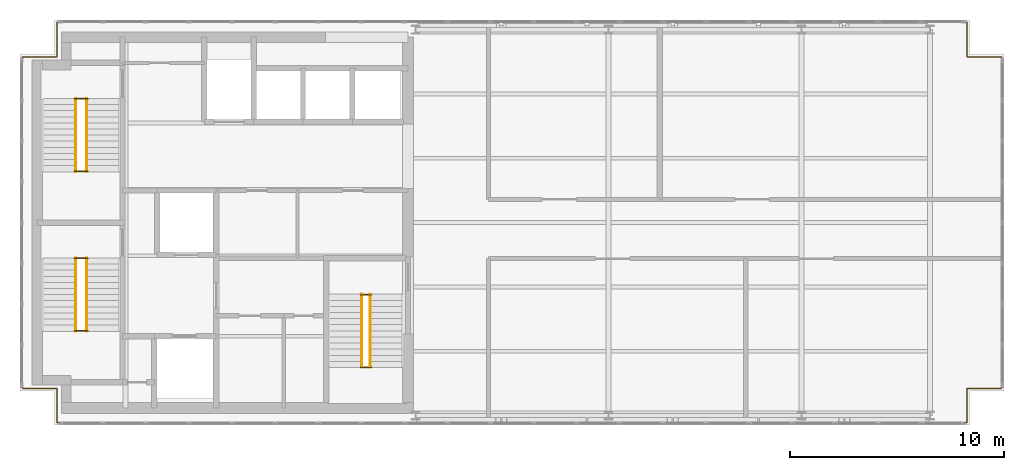
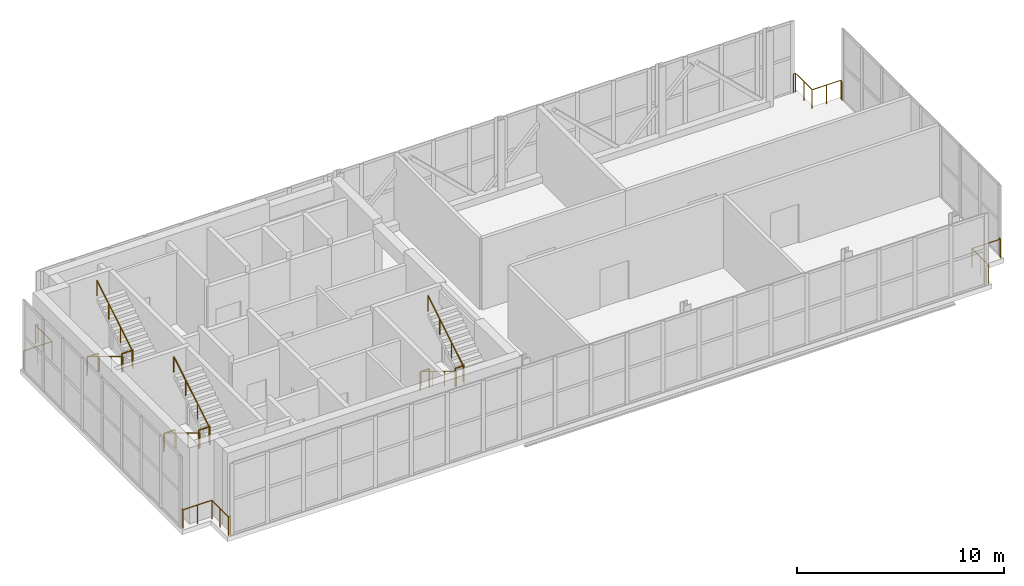
# One storey, part 21 of 21: 16 railings.
"""IFC4 building model written with IfcOpenShell, lengths in metres."""

import ifcopenshell
import ifcopenshell.guid

model = None  # the IFC model being written
_history = None  # IfcOwnerHistory: only IFC2X3 demands one
_inside = {}  # id of a spatial element -> (the spatial element, [elements in it])
_under = {}  # id of a project, library or spatial element -> (it, [spatial elements below it])
_declared = {}  # id of a project -> (the project, [libraries it declares])
_typed = {}  # id of a type object -> (the type object, [elements of that type])
_made_of = {}  # id of a material, layer set ... -> (it, [elements and type objects made of it])


def new_model(schema):
    """Start an empty IFC model of exactly this schema.

    Asked for "IFC4X3", IfcOpenShell would pick the latest addendum, in which some entities
    have other attributes; the version numbers below select the first issue.
    IFC2X3 requires an IfcOwnerHistory on every rooted entity: one is made here for all.
    """
    global model, _history
    if schema == "IFC4X3":
        model = ifcopenshell.file(schema_version=(4, 3, 0, 0))
    else:
        model = ifcopenshell.file(schema=schema)
    _inside.clear()
    _under.clear()
    _declared.clear()
    _typed.clear()
    _made_of.clear()
    _history = None
    if model.schema == "IFC2X3":
        org = make("IfcOrganization", Name="unknown")
        user = make(
            "IfcPersonAndOrganization",
            ThePerson=make("IfcPerson", FamilyName="unknown"),
            TheOrganization=org,
        )
        app = make(
            "IfcApplication",
            ApplicationDeveloper=org,
            Version="unknown",
            ApplicationFullName="unknown",
            ApplicationIdentifier="unknown",
        )
        _history = make(
            "IfcOwnerHistory",
            OwningUser=user,
            OwningApplication=app,
            ChangeAction="ADDED",
            CreationDate=0,
        )
    return model


def make(cls, **values):
    """One entity of the class cls with the attributes given. An attribute that is None is left unset."""
    return model.create_entity(
        cls, **{name: value for name, value in values.items() if value is not None}
    )


def rooted(cls, **values):
    """An entity with a GlobalId (a new one), such as an element, a storey or a relation."""
    return make(cls, GlobalId=ifcopenshell.guid.new(), OwnerHistory=_history, **values)


def si_unit(unit_type, name, prefix=None):
    """IfcSIUnit, for example si_unit("LENGTHUNIT", "METRE", prefix="MILLI")."""
    return make("IfcSIUnit", UnitType=unit_type, Prefix=prefix, Name=name)


def assignment(units):
    """IfcUnitAssignment: the units of a project."""
    return None if units is None else make("IfcUnitAssignment", Units=units)


def point(xyz):
    """IfcCartesianPoint."""
    return None if xyz is None else make("IfcCartesianPoint", Coordinates=xyz)


def direction(xyz):
    """IfcDirection."""
    return None if xyz is None else make("IfcDirection", DirectionRatios=xyz)


def frame(location, z_axis=None, x_axis=None):
    """IfcAxis2Placement3D, a coordinate frame: its origin and axes. An axis left out is left unset."""
    return make(
        "IfcAxis2Placement3D",
        Location=point(location),
        Axis=direction(z_axis),
        RefDirection=direction(x_axis),
    )


def frame_2d(location, x_axis=None):
    """IfcAxis2Placement2D, a coordinate frame in the plane: its origin and x axis."""
    return make(
        "IfcAxis2Placement2D", Location=point(location), RefDirection=direction(x_axis)
    )


def origin():
    """The frame at (0, 0, 0) with its axes left unset."""
    return frame((0.0, 0.0, 0.0))


def origin_2d():
    """The frame at (0, 0) in the plane with its x axis left unset."""
    return frame_2d((0.0, 0.0))


def place(relative_to, where):
    """IfcLocalPlacement: puts the frame where relative to a parent placement (None: the world)."""
    return make(
        "IfcLocalPlacement", PlacementRelTo=relative_to, RelativePlacement=where
    )


def context(
    kind, dimensions, precision=None, world=None, true_north=None, identifier=None
):
    """IfcGeometricRepresentationContext, for example the 3D "Model" context."""
    return make(
        "IfcGeometricRepresentationContext",
        ContextIdentifier=identifier,
        ContextType=kind,
        CoordinateSpaceDimension=dimensions,
        Precision=precision,
        WorldCoordinateSystem=world,
        TrueNorth=true_north,
    )


def subcontext(parent, identifier, kind, view, scale=None):
    """IfcGeometricRepresentationSubContext, for example "Body" below "Model"."""
    return make(
        "IfcGeometricRepresentationSubContext",
        ContextIdentifier=identifier,
        ContextType=kind,
        ParentContext=parent,
        TargetScale=scale,
        TargetView=view,
    )


def project(units=None, contexts=None):
    """IfcProject with its units and contexts."""
    return rooted(
        "IfcProject",
        Name="project",
        RepresentationContexts=contexts,
        UnitsInContext=assignment(units),
    )


def spatial(cls, under=None, at=None, **own):
    """A site, building, storey or space (cls), placed at a placement, below another one or the project."""
    s = rooted(cls, ObjectPlacement=at, **own)
    if under is not None:
        _under.setdefault(under.id(), (under, []))[1].append(s)
    return s


def profile(cls, at=None, kind="AREA", **sizes):
    """A parametric profile (cls). Its sizes go by their IFC names, for example OverallWidth=200.0."""
    return make(cls, ProfileType=kind, Position=at, **sizes)


def circle(**sizes):
    """IfcCircleProfileDef."""
    return profile("IfcCircleProfileDef", **sizes)


def extrude(swept, where, along, depth):
    """IfcExtrudedAreaSolid: the profile swept, set in the frame where, extruded along a direction by depth."""
    return make(
        "IfcExtrudedAreaSolid",
        SweptArea=swept,
        Position=where,
        ExtrudedDirection=direction(along),
        Depth=depth,
    )


def shape(context_of_items, identifier, shape_type, items):
    """IfcShapeRepresentation: the items that make up one representation, for example the "Body"."""
    return make(
        "IfcShapeRepresentation",
        ContextOfItems=context_of_items,
        RepresentationIdentifier=identifier,
        RepresentationType=shape_type,
        Items=items,
    )


def material(Name=None, Category=None):
    """IfcMaterial."""
    return make("IfcMaterial", Name=Name, Category=Category)


def made_of(thing, what):
    """Note that an element or type object is made of a material, layer set ...; save() writes the relation."""
    if what is not None:
        _made_of.setdefault(what.id(), (what, []))[1].append(thing)
    return thing


def type_object(cls, material=None, **own):
    """A type object (cls), such as IfcWallType, which elements share."""
    return made_of(rooted(cls, **own), material)


def element(
    cls,
    number,
    at=None,
    inside=None,
    cuts=None,
    type_object=None,
    material=None,
    context=None,
    identifier="Body",
    shape_type=None,
    held_by="IfcProductDefinitionShape",
    body=None,
    shapes=None,
    **own,
):
    """One element of the class cls, such as IfcWall. Its Tag is "e" and its number.

    at: its placement. inside: the storey or other place that contains it. cuts: it is an
    opening in that element (IfcRelVoidsElement). A single representation is given by context,
    identifier, shape_type and body (its items); several are given by shapes. held_by: the class
    of the entity that holds the representations. save() writes the other relations.
    """
    e = rooted(cls, Tag="e%d" % number, ObjectPlacement=at, **own)
    if body is not None:
        shapes = [shape(context, identifier, shape_type, body)]
    if shapes is not None:
        e.Representation = make(held_by, Representations=shapes)
    if inside is not None:
        _inside.setdefault(inside.id(), (inside, []))[1].append(e)
    if cuts is not None:
        rooted(
            "IfcRelVoidsElement", RelatingBuildingElement=cuts, RelatedOpeningElement=e
        )
    if type_object is not None:
        _typed.setdefault(type_object.id(), (type_object, []))[1].append(e)
    return made_of(e, material)


def aggregate(whole, parts):
    """IfcRelAggregates: a whole, such as a stair, and the parts it consists of."""
    return rooted("IfcRelAggregates", RelatingObject=whole, RelatedObjects=parts)


def save(model, path):
    """Write the relations noted so far, then the file.

    IfcRelAggregates (storeys below a building ...), IfcRelContainedInSpatialStructure (elements
    in a storey), IfcRelDefinesByType, IfcRelAssociatesMaterial and IfcRelDeclares: one each for
    every whole, place, type object, material and project.
    """
    for whole, parts in _under.values():
        aggregate(whole, parts)
    for where, things in _inside.values():
        rooted(
            "IfcRelContainedInSpatialStructure",
            RelatedElements=things,
            RelatingStructure=where,
        )
    for kind, things in _typed.values():
        rooted("IfcRelDefinesByType", RelatedObjects=things, RelatingType=kind)
    for what, things in _made_of.values():
        rooted("IfcRelAssociatesMaterial", RelatedObjects=things, RelatingMaterial=what)
    for by, libraries in _declared.values():
        rooted("IfcRelDeclares", RelatingContext=by, RelatedDefinitions=libraries)
    model.write(path)


model = new_model("IFC4")

# Units and contexts
model_context = context("Model", 3, precision=1e-05, world=origin(), true_north=direction((0.0, 1.0)))
body_context = subcontext(model_context, "Body", "Model", "MODEL_VIEW")
ifc_project = project(units=[si_unit("LENGTHUNIT", "METRE"), si_unit("AREAUNIT", "SQUARE_METRE"), si_unit("VOLUMEUNIT", "CUBIC_METRE"), si_unit("PLANEANGLEUNIT", "RADIAN"), si_unit("MASSUNIT", "GRAM", prefix="KILO")], contexts=[model_context])

# Site, building, storey
site_placement = place(None, origin())
site = spatial("IfcSite", under=ifc_project, at=site_placement, CompositionType="ELEMENT")
building_placement = place(site_placement, origin())
building = spatial("IfcBuilding", under=site, at=building_placement, Name="Mawjdan Bourse Tower", CompositionType="ELEMENT")
storey_placement = place(building_placement, frame((0.0, 0.0, 313.199951171875)))
storey = spatial("IfcBuildingStorey", under=building, at=storey_placement, Name="L77", CompositionType="ELEMENT", Elevation=313.199951171875)

# Railings
ifc_material_1 = material(Name="Structural Steel S355", Category="steel")
railing_type_1 = type_object("IfcRailingType", Name="RLG-GRD-1100", PredefinedType="GUARDRAIL", material=ifc_material_1)
railing_1_placement = place(storey_placement, frame((49.60009765625, 2.669921875, 0.0)))
element("IfcRailing", 1, at=railing_1_placement, inside=storey, type_object=railing_type_1, Name="L77 Lantern Crown South-East Notch Safety Guardrail", PredefinedType="GUARDRAIL", context=body_context, shape_type="SweptSolid", body=[
    extrude(circle(Radius=0.02490234375, at=origin_2d()), frame((0.0, 0.0, 1.09521484375), z_axis=(1.0, 0.0, 0.0), x_axis=(0.0, 1.0, 0.0)), (0.0, 0.0, 1.0), 0.1298828125),
    extrude(circle(Radius=0.02490234375, at=origin_2d()), frame((0.1298828125, 0.0, 1.09521484375), z_axis=(0.0, 1.0, 0.0), x_axis=(-1.0, 0.0, 0.0)), (0.0, 0.0, 1.0), 1.60009765625),
    extrude(circle(Radius=0.02490234375, at=origin_2d()), frame((0.1298828125, 1.60009765625, 1.09521484375), z_axis=(1.0, 0.0, 0.0), x_axis=(0.0, 1.0, 0.0)), (0.0, 0.0, 1.0), 1.60009765625),
    extrude(circle(Radius=0.02490234375, at=origin_2d()), frame((1.72998046875, 1.60009765625, 1.09521484375), z_axis=(0.0, 1.0, 0.0), x_axis=(-1.0, 0.0, 0.0)), (0.0, 0.0, 1.0), 0.1298828125),
    extrude(circle(Radius=0.02197265625, at=origin_2d()), origin(), (0.0, 0.0, 1.0), 1.070068359375),
    extrude(circle(Radius=0.02197265625, at=origin_2d()), frame((0.1298828125, 0.0, 0.0)), (0.0, 0.0, 1.0), 1.070068359375),
    extrude(circle(Radius=0.02197265625, at=origin_2d()), frame((0.1298828125, 0.800048828125, 0.0)), (0.0, 0.0, 1.0), 1.070068359375),
    extrude(circle(Radius=0.02197265625, at=origin_2d()), frame((0.1298828125, 1.60009765625, 0.0)), (0.0, 0.0, 1.0), 1.070068359375),
    extrude(circle(Radius=0.02197265625, at=origin_2d()), frame((0.929931640625, 1.60009765625, 0.0)), (0.0, 0.0, 1.0), 1.070068359375),
    extrude(circle(Radius=0.02197265625, at=origin_2d()), frame((1.72998046875, 1.60009765625, 0.0)), (0.0, 0.0, 1.0), 1.070068359375),
    extrude(circle(Radius=0.02197265625, at=origin_2d()), frame((1.72998046875, 1.72998046875, 0.0)), (0.0, 0.0, 1.0), 1.070068359375),
])
railing_2_placement = place(storey_placement, frame((51.330078125, 19.60009765625, 0.0)))
element("IfcRailing", 2, at=railing_2_placement, inside=storey, type_object=railing_type_1, Name="L77 Lantern Crown North-East Notch Safety Guardrail", PredefinedType="GUARDRAIL", context=body_context, shape_type="SweptSolid", body=[
    extrude(circle(Radius=0.02490234375, at=origin_2d()), frame((0.0, 0.0, 1.09521484375), z_axis=(0.0, 1.0, 0.0), x_axis=(-1.0, 0.0, 0.0)), (0.0, 0.0, 1.0), 0.1298828125),
    extrude(circle(Radius=0.02490234375, at=origin_2d()), frame((0.0, 0.1298828125, 1.09521484375), z_axis=(-1.0, 0.0, 0.0), x_axis=(0.0, -1.0, 0.0)), (0.0, 0.0, 1.0), 1.60009765625),
    extrude(circle(Radius=0.02490234375, at=origin_2d()), frame((-1.60009765625, 0.1298828125, 1.09521484375), z_axis=(0.0, 1.0, 0.0), x_axis=(-1.0, 0.0, 0.0)), (0.0, 0.0, 1.0), 1.60009765625),
    extrude(circle(Radius=0.02490234375, at=origin_2d()), frame((-1.60009765625, 1.72998046875, 1.09521484375), z_axis=(-1.0, 0.0, 0.0), x_axis=(0.0, -1.0, 0.0)), (0.0, 0.0, 1.0), 0.1298828125),
    extrude(circle(Radius=0.02197265625, at=origin_2d()), origin(), (0.0, 0.0, 1.0), 1.070068359375),
    extrude(circle(Radius=0.02197265625, at=origin_2d()), frame((0.0, 0.1298828125, 0.0)), (0.0, 0.0, 1.0), 1.070068359375),
    extrude(circle(Radius=0.02197265625, at=origin_2d()), frame((-0.800048828125, 0.1298828125, 0.0)), (0.0, 0.0, 1.0), 1.070068359375),
    extrude(circle(Radius=0.02197265625, at=origin_2d()), frame((-1.60009765625, 0.1298828125, 0.0)), (0.0, 0.0, 1.0), 1.070068359375),
    extrude(circle(Radius=0.02197265625, at=origin_2d()), frame((-1.60009765625, 0.929931640625, 0.0)), (0.0, 0.0, 1.0), 1.070068359375),
    extrude(circle(Radius=0.02197265625, at=origin_2d()), frame((-1.60009765625, 1.72998046875, 0.0)), (0.0, 0.0, 1.0), 1.070068359375),
    extrude(circle(Radius=0.02197265625, at=origin_2d()), frame((-1.72998046875, 1.72998046875, 0.0)), (0.0, 0.0, 1.0), 1.070068359375),
])
railing_3_placement = place(storey_placement, frame((7.39990234375, 21.330078125, 0.0)))
element("IfcRailing", 3, at=railing_3_placement, inside=storey, type_object=railing_type_1, Name="L77 Lantern Crown North-West Notch Safety Guardrail", PredefinedType="GUARDRAIL", context=body_context, shape_type="SweptSolid", body=[
    extrude(circle(Radius=0.02490234375, at=origin_2d()), frame((0.0, 0.0, 1.09521484375), z_axis=(-1.0, 0.0, 0.0), x_axis=(0.0, -1.0, 0.0)), (0.0, 0.0, 1.0), 0.1298828125),
    extrude(circle(Radius=0.02490234375, at=origin_2d()), frame((-0.1298828125, 0.0, 1.09521484375), z_axis=(0.0, -1.0, 0.0), x_axis=(1.0, 0.0, 0.0)), (0.0, 0.0, 1.0), 1.60009765625),
    extrude(circle(Radius=0.02490234375, at=origin_2d()), frame((-0.1298828125, -1.60009765625, 1.09521484375), z_axis=(-1.0, 0.0, 0.0), x_axis=(0.0, -1.0, 0.0)), (0.0, 0.0, 1.0), 1.60009765625),
    extrude(circle(Radius=0.02490234375, at=origin_2d()), frame((-1.72998046875, -1.60009765625, 1.09521484375), z_axis=(0.0, -1.0, 0.0), x_axis=(1.0, 0.0, 0.0)), (0.0, 0.0, 1.0), 0.1298828125),
    extrude(circle(Radius=0.02197265625, at=origin_2d()), origin(), (0.0, 0.0, 1.0), 1.070068359375),
    extrude(circle(Radius=0.02197265625, at=origin_2d()), frame((-0.1298828125, 0.0, 0.0)), (0.0, 0.0, 1.0), 1.070068359375),
    extrude(circle(Radius=0.02197265625, at=origin_2d()), frame((-0.1298828125, -0.800048828125, 0.0)), (0.0, 0.0, 1.0), 1.070068359375),
    extrude(circle(Radius=0.02197265625, at=origin_2d()), frame((-0.1298828125, -1.60009765625, 0.0)), (0.0, 0.0, 1.0), 1.070068359375),
    extrude(circle(Radius=0.02197265625, at=origin_2d()), frame((-0.929931640625, -1.60009765625, 0.0)), (0.0, 0.0, 1.0), 1.070068359375),
    extrude(circle(Radius=0.02197265625, at=origin_2d()), frame((-1.72998046875, -1.60009765625, 0.0)), (0.0, 0.0, 1.0), 1.070068359375),
    extrude(circle(Radius=0.02197265625, at=origin_2d()), frame((-1.72998046875, -1.72998046875, 0.0)), (0.0, 0.0, 1.0), 1.070068359375),
])
railing_4_placement = place(storey_placement, frame((5.669921875, 4.39990234375, 0.0)))
element("IfcRailing", 4, at=railing_4_placement, inside=storey, type_object=railing_type_1, Name="L77 Lantern Crown South-West Notch Safety Guardrail", PredefinedType="GUARDRAIL", context=body_context, shape_type="SweptSolid", body=[
    extrude(circle(Radius=0.02490234375, at=origin_2d()), frame((0.0, 0.0, 1.09521484375), z_axis=(0.0, -1.0, 0.0), x_axis=(1.0, 0.0, 0.0)), (0.0, 0.0, 1.0), 0.1298828125),
    extrude(circle(Radius=0.02490234375, at=origin_2d()), frame((0.0, -0.1298828125, 1.09521484375), z_axis=(1.0, 0.0, 0.0), x_axis=(0.0, 1.0, 0.0)), (0.0, 0.0, 1.0), 1.60009765625),
    extrude(circle(Radius=0.02490234375, at=origin_2d()), frame((1.60009765625, -0.1298828125, 1.09521484375), z_axis=(0.0, -1.0, 0.0), x_axis=(1.0, 0.0, 0.0)), (0.0, 0.0, 1.0), 1.60009765625),
    extrude(circle(Radius=0.02490234375, at=origin_2d()), frame((1.60009765625, -1.72998046875, 1.09521484375), z_axis=(1.0, 0.0, 0.0), x_axis=(0.0, 1.0, 0.0)), (0.0, 0.0, 1.0), 0.1298828125),
    extrude(circle(Radius=0.02197265625, at=origin_2d()), origin(), (0.0, 0.0, 1.0), 1.070068359375),
    extrude(circle(Radius=0.02197265625, at=origin_2d()), frame((0.0, -0.1298828125, 0.0)), (0.0, 0.0, 1.0), 1.070068359375),
    extrude(circle(Radius=0.02197265625, at=origin_2d()), frame((0.800048828125, -0.1298828125, 0.0)), (0.0, 0.0, 1.0), 1.070068359375),
    extrude(circle(Radius=0.02197265625, at=origin_2d()), frame((1.60009765625, -0.1298828125, 0.0)), (0.0, 0.0, 1.0), 1.070068359375),
    extrude(circle(Radius=0.02197265625, at=origin_2d()), frame((1.60009765625, -0.929931640625, 0.0)), (0.0, 0.0, 1.0), 1.070068359375),
    extrude(circle(Radius=0.02197265625, at=origin_2d()), frame((1.60009765625, -1.72998046875, 0.0)), (0.0, 0.0, 1.0), 1.070068359375),
    extrude(circle(Radius=0.02197265625, at=origin_2d()), frame((1.72998046875, -1.72998046875, 0.0)), (0.0, 0.0, 1.0), 1.070068359375),
])
for number, where, name in (
    (5, (8.090087890625, 6.949951171875, 2.25), "L77 ST1 Landing Guardrail GL-MID"),
    (6, (8.090087890625, 10.330078125, 0.0), "L77 ST1 Landing Guardrail GL-BOT"),
    (7, (8.090087890625, 14.389892578125, 2.25), "L77 ST2 Landing Guardrail GL-MID"),
    (8, (8.090087890625, 17.77001953125, 0.0), "L77 ST2 Landing Guardrail GL-BOT"),
):
    element("IfcRailing", number, at=place(storey_placement, frame(where)), inside=storey, type_object=railing_type_1, Name=name, PredefinedType="GUARDRAIL", context=body_context, shape_type="SweptSolid", body=[
        extrude(circle(Radius=0.02490234375, at=origin_2d()), frame((0.0, 0.0, 1.0751953125), z_axis=(1.0, 0.0, 0.0), x_axis=(0.0, 1.0, 0.0)), (0.0, 0.0, 1.0), 0.619873046875),
        extrude(circle(Radius=0.02099609375, at=origin_2d()), origin(), (0.0, 0.0, 1.0), 1.050048828125),
        extrude(circle(Radius=0.02099609375, at=origin_2d()), frame((0.619873046875, 0.0, 0.0)), (0.0, 0.0, 1.0), 1.050048828125),
    ])
for number, where, name in (
    (9, (21.43994140625, 5.260009765625, 2.25), "L77 ST7 Landing Guardrail GL-MID"),
    (10, (21.43994140625, 8.639892578125, 0.0), "L77 ST7 Landing Guardrail GL-BOT"),
):
    element("IfcRailing", number, at=place(storey_placement, frame(where)), inside=storey, type_object=railing_type_1, Name=name, PredefinedType="GUARDRAIL", context=body_context, shape_type="SweptSolid", body=[
        extrude(circle(Radius=0.02490234375, at=origin_2d()), frame((0.0, 0.0, 1.0751953125), z_axis=(1.0, 0.0, 0.0), x_axis=(0.0, 1.0, 0.0)), (0.0, 0.0, 1.0), 0.489990234375),
        extrude(circle(Radius=0.02099609375, at=origin_2d()), origin(), (0.0, 0.0, 1.0), 1.050048828125),
        extrude(circle(Radius=0.02099609375, at=origin_2d()), frame((0.489990234375, 0.0, 0.0)), (0.0, 0.0, 1.0), 1.050048828125),
    ])
ifc_material_2 = material(Name="Brushed Stainless Steel", Category="steel")
railing_type_2 = type_object("IfcRailingType", Name="RLG-HND-920", PredefinedType="HANDRAIL", material=ifc_material_2)
railing_5_placement = place(storey_placement, frame((8.139892578125, 10.35009765625, 0.173095703125)))
element("IfcRailing", 11, at=railing_5_placement, inside=storey, type_object=railing_type_2, Name="L77 ST1 Flight Handrail HR1", PredefinedType="HANDRAIL", context=body_context, shape_type="SweptSolid", body=[
    extrude(circle(Radius=0.0224609375, at=origin_2d()), frame((0.0, 0.0, 0.8974609375), z_axis=(0.0, -0.854745945586, 0.519046595696), x_axis=(1.0, 0.0, 0.0)), (0.0, 0.0, 1.0), 4.00146484375),
    extrude(circle(Radius=0.01904296875, at=origin_2d()), origin(), (0.0, 0.0, 1.0), 0.875),
    extrude(circle(Radius=0.01904296875, at=origin_2d()), frame((0.0, -1.14013671875, 0.6923828125)), (0.0, 0.0, 1.0), 0.875),
    extrude(circle(Radius=0.01904296875, at=origin_2d()), frame((0.0, -2.280029296875, 1.384521484375)), (0.0, 0.0, 1.0), 0.875),
    extrude(circle(Radius=0.01904296875, at=origin_2d()), frame((0.0, -3.420166015625, 2.076904296875)), (0.0, 0.0, 1.0), 0.875),
])
railing_6_placement = place(storey_placement, frame((8.659912109375, 6.929931640625, 2.423095703125)))
element("IfcRailing", 12, at=railing_6_placement, inside=storey, type_object=railing_type_2, Name="L77 ST1 Flight Handrail HR2", PredefinedType="HANDRAIL", context=body_context, shape_type="SweptSolid", body=[
    extrude(circle(Radius=0.0224609375, at=origin_2d()), frame((0.0, 0.0, 0.8974609375), z_axis=(0.0, 0.854745945586, 0.519046595696), x_axis=(-1.0, 0.0, 0.0)), (0.0, 0.0, 1.0), 4.00146484375),
    extrude(circle(Radius=0.01904296875, at=origin_2d()), origin(), (0.0, 0.0, 1.0), 0.875),
    extrude(circle(Radius=0.01904296875, at=origin_2d()), frame((0.0, 1.14013671875, 0.6923828125)), (0.0, 0.0, 1.0), 0.875),
    extrude(circle(Radius=0.01904296875, at=origin_2d()), frame((0.0, 2.280029296875, 1.384521484375)), (0.0, 0.0, 1.0), 0.875),
    extrude(circle(Radius=0.01904296875, at=origin_2d()), frame((0.0, 3.420166015625, 2.076904296875)), (0.0, 0.0, 1.0), 0.875),
])
railing_7_placement = place(storey_placement, frame((8.139892578125, 17.7900390625, 0.173095703125)))
element("IfcRailing", 13, at=railing_7_placement, inside=storey, type_object=railing_type_2, Name="L77 ST2 Flight Handrail HR1", PredefinedType="HANDRAIL", context=body_context, shape_type="SweptSolid", body=[
    extrude(circle(Radius=0.0224609375, at=origin_2d()), frame((0.0, 0.0, 0.8974609375), z_axis=(0.0, -0.854729506542, 0.519073665916), x_axis=(1.0, 0.0, 0.0)), (0.0, 0.0, 1.0), 4.001220703125),
    extrude(circle(Radius=0.01904296875, at=origin_2d()), origin(), (0.0, 0.0, 1.0), 0.875),
    extrude(circle(Radius=0.01904296875, at=origin_2d()), frame((0.0, -1.139892578125, 0.6923828125)), (0.0, 0.0, 1.0), 0.875),
    extrude(circle(Radius=0.01904296875, at=origin_2d()), frame((0.0, -2.280029296875, 1.384521484375)), (0.0, 0.0, 1.0), 0.875),
    extrude(circle(Radius=0.01904296875, at=origin_2d()), frame((0.0, -3.419921875, 2.076904296875)), (0.0, 0.0, 1.0), 0.875),
])
railing_8_placement = place(storey_placement, frame((8.659912109375, 14.3701171875, 2.423095703125)))
element("IfcRailing", 14, at=railing_8_placement, inside=storey, type_object=railing_type_2, Name="L77 ST2 Flight Handrail HR2", PredefinedType="HANDRAIL", context=body_context, shape_type="SweptSolid", body=[
    extrude(circle(Radius=0.0224609375, at=origin_2d()), frame((0.0, 0.0, 0.8974609375), z_axis=(0.0, 0.854729506542, 0.519073665916), x_axis=(-1.0, 0.0, 0.0)), (0.0, 0.0, 1.0), 4.001220703125),
    extrude(circle(Radius=0.01904296875, at=origin_2d()), origin(), (0.0, 0.0, 1.0), 0.875),
    extrude(circle(Radius=0.01904296875, at=origin_2d()), frame((0.0, 1.139892578125, 0.6923828125)), (0.0, 0.0, 1.0), 0.875),
    extrude(circle(Radius=0.01904296875, at=origin_2d()), frame((0.0, 2.280029296875, 1.384521484375)), (0.0, 0.0, 1.0), 0.875),
    extrude(circle(Radius=0.01904296875, at=origin_2d()), frame((0.0, 3.419921875, 2.076904296875)), (0.0, 0.0, 1.0), 0.875),
])
railing_9_placement = place(storey_placement, frame((21.489990234375, 8.659912109375, 0.173095703125)))
element("IfcRailing", 15, at=railing_9_placement, inside=storey, type_object=railing_type_2, Name="L77 ST7 Flight Handrail HR1", PredefinedType="HANDRAIL", context=body_context, shape_type="SweptSolid", body=[
    extrude(circle(Radius=0.0224609375, at=origin_2d()), frame((0.0, 0.0, 0.8974609375), z_axis=(0.0, -0.854729506542, 0.519073665916), x_axis=(1.0, 0.0, 0.0)), (0.0, 0.0, 1.0), 4.001220703125),
    extrude(circle(Radius=0.01904296875, at=origin_2d()), origin(), (0.0, 0.0, 1.0), 0.875),
    extrude(circle(Radius=0.01904296875, at=origin_2d()), frame((0.0, -1.139892578125, 0.6923828125)), (0.0, 0.0, 1.0), 0.875),
    extrude(circle(Radius=0.01904296875, at=origin_2d()), frame((0.0, -2.280029296875, 1.384521484375)), (0.0, 0.0, 1.0), 0.875),
    extrude(circle(Radius=0.01904296875, at=origin_2d()), frame((0.0, -3.419921875, 2.076904296875)), (0.0, 0.0, 1.0), 0.875),
])
railing_10_placement = place(storey_placement, frame((21.8798828125, 5.239990234375, 2.423095703125)))
element("IfcRailing", 16, at=railing_10_placement, inside=storey, type_object=railing_type_2, Name="L77 ST7 Flight Handrail HR2", PredefinedType="HANDRAIL", context=body_context, shape_type="SweptSolid", body=[
    extrude(circle(Radius=0.0224609375, at=origin_2d()), frame((0.0, 0.0, 0.8974609375), z_axis=(0.0, 0.854729506542, 0.519073665916), x_axis=(-1.0, 0.0, 0.0)), (0.0, 0.0, 1.0), 4.001220703125),
    extrude(circle(Radius=0.01904296875, at=origin_2d()), origin(), (0.0, 0.0, 1.0), 0.875),
    extrude(circle(Radius=0.01904296875, at=origin_2d()), frame((0.0, 1.139892578125, 0.6923828125)), (0.0, 0.0, 1.0), 0.875),
    extrude(circle(Radius=0.01904296875, at=origin_2d()), frame((0.0, 2.280029296875, 1.384521484375)), (0.0, 0.0, 1.0), 0.875),
    extrude(circle(Radius=0.01904296875, at=origin_2d()), frame((0.0, 3.419921875, 2.076904296875)), (0.0, 0.0, 1.0), 0.875),
])

save(model, "model.ifc")
